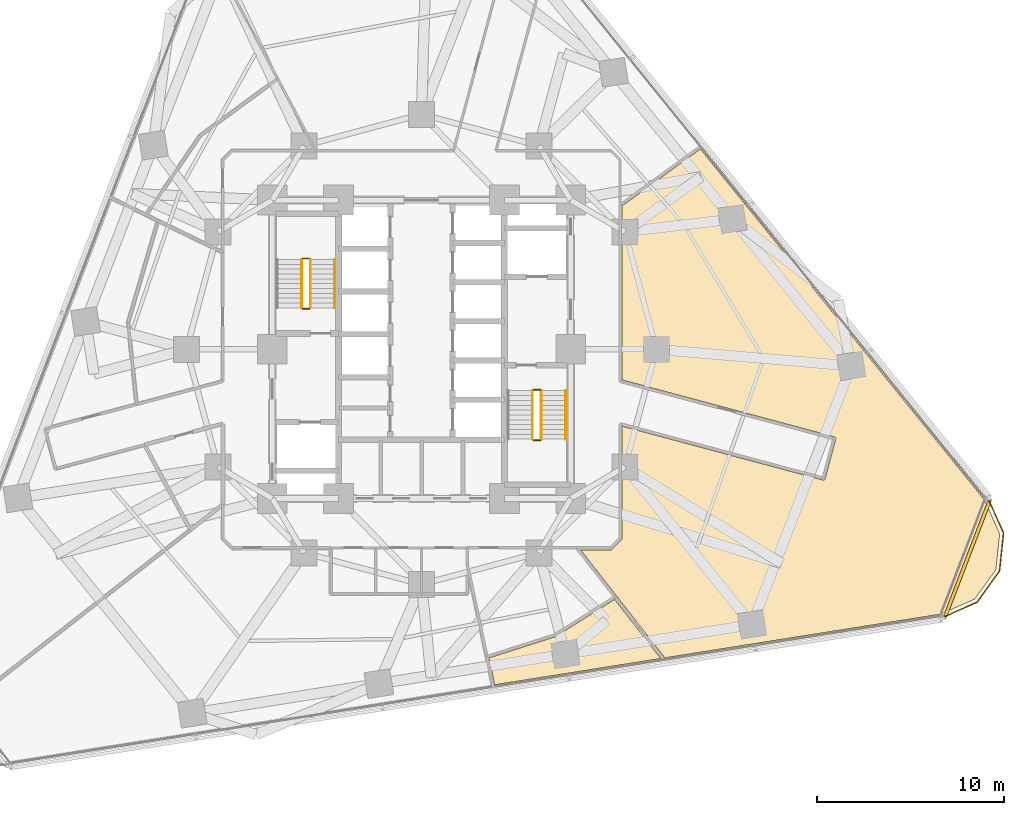
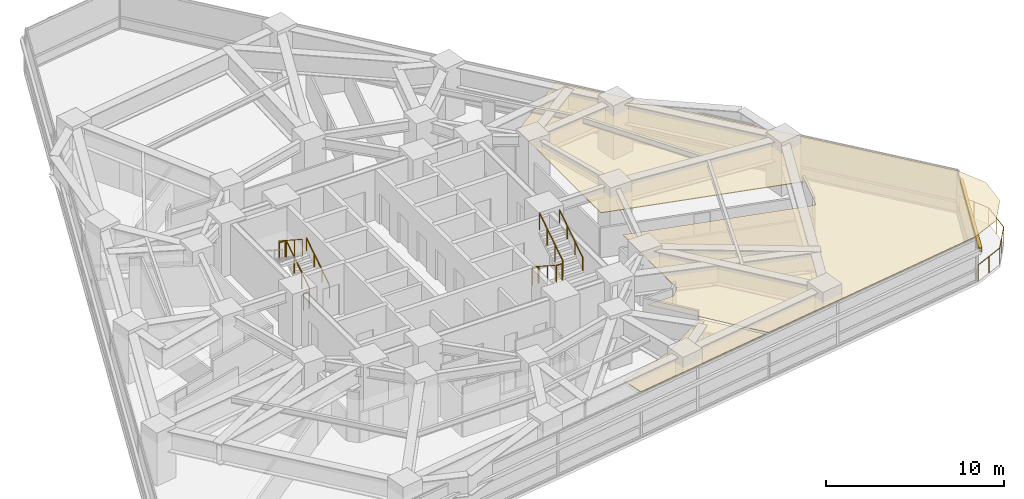
# One storey, part 12 of 13: 11 railings, 2 coverings, 1 shading device.
"""IFC4 building model written with IfcOpenShell, lengths in metres."""

import ifcopenshell
import ifcopenshell.guid

model = None  # the IFC model being written
_history = None  # IfcOwnerHistory: only IFC2X3 demands one
_inside = {}  # id of a spatial element -> (the spatial element, [elements in it])
_under = {}  # id of a project, library or spatial element -> (it, [spatial elements below it])
_declared = {}  # id of a project -> (the project, [libraries it declares])
_typed = {}  # id of a type object -> (the type object, [elements of that type])
_made_of = {}  # id of a material, layer set ... -> (it, [elements and type objects made of it])


def new_model(schema):
    """Start an empty IFC model of exactly this schema.

    Asked for "IFC4X3", IfcOpenShell would pick the latest addendum, in which some entities
    have other attributes; the version numbers below select the first issue.
    IFC2X3 requires an IfcOwnerHistory on every rooted entity: one is made here for all.
    """
    global model, _history
    if schema == "IFC4X3":
        model = ifcopenshell.file(schema_version=(4, 3, 0, 0))
    else:
        model = ifcopenshell.file(schema=schema)
    _inside.clear()
    _under.clear()
    _declared.clear()
    _typed.clear()
    _made_of.clear()
    _history = None
    if model.schema == "IFC2X3":
        org = make("IfcOrganization", Name="unknown")
        user = make(
            "IfcPersonAndOrganization",
            ThePerson=make("IfcPerson", FamilyName="unknown"),
            TheOrganization=org,
        )
        app = make(
            "IfcApplication",
            ApplicationDeveloper=org,
            Version="unknown",
            ApplicationFullName="unknown",
            ApplicationIdentifier="unknown",
        )
        _history = make(
            "IfcOwnerHistory",
            OwningUser=user,
            OwningApplication=app,
            ChangeAction="ADDED",
            CreationDate=0,
        )
    return model


def make(cls, **values):
    """One entity of the class cls with the attributes given. An attribute that is None is left unset."""
    return model.create_entity(
        cls, **{name: value for name, value in values.items() if value is not None}
    )


def rooted(cls, **values):
    """An entity with a GlobalId (a new one), such as an element, a storey or a relation."""
    return make(cls, GlobalId=ifcopenshell.guid.new(), OwnerHistory=_history, **values)


def si_unit(unit_type, name, prefix=None):
    """IfcSIUnit, for example si_unit("LENGTHUNIT", "METRE", prefix="MILLI")."""
    return make("IfcSIUnit", UnitType=unit_type, Prefix=prefix, Name=name)


def assignment(units):
    """IfcUnitAssignment: the units of a project."""
    return None if units is None else make("IfcUnitAssignment", Units=units)


def point(xyz):
    """IfcCartesianPoint."""
    return None if xyz is None else make("IfcCartesianPoint", Coordinates=xyz)


def direction(xyz):
    """IfcDirection."""
    return None if xyz is None else make("IfcDirection", DirectionRatios=xyz)


def frame(location, z_axis=None, x_axis=None):
    """IfcAxis2Placement3D, a coordinate frame: its origin and axes. An axis left out is left unset."""
    return make(
        "IfcAxis2Placement3D",
        Location=point(location),
        Axis=direction(z_axis),
        RefDirection=direction(x_axis),
    )


def frame_2d(location, x_axis=None):
    """IfcAxis2Placement2D, a coordinate frame in the plane: its origin and x axis."""
    return make(
        "IfcAxis2Placement2D", Location=point(location), RefDirection=direction(x_axis)
    )


def origin():
    """The frame at (0, 0, 0) with its axes left unset."""
    return frame((0.0, 0.0, 0.0))


def origin_2d():
    """The frame at (0, 0) in the plane with its x axis left unset."""
    return frame_2d((0.0, 0.0))


def place(relative_to, where):
    """IfcLocalPlacement: puts the frame where relative to a parent placement (None: the world)."""
    return make(
        "IfcLocalPlacement", PlacementRelTo=relative_to, RelativePlacement=where
    )


def context(
    kind, dimensions, precision=None, world=None, true_north=None, identifier=None
):
    """IfcGeometricRepresentationContext, for example the 3D "Model" context."""
    return make(
        "IfcGeometricRepresentationContext",
        ContextIdentifier=identifier,
        ContextType=kind,
        CoordinateSpaceDimension=dimensions,
        Precision=precision,
        WorldCoordinateSystem=world,
        TrueNorth=true_north,
    )


def subcontext(parent, identifier, kind, view, scale=None):
    """IfcGeometricRepresentationSubContext, for example "Body" below "Model"."""
    return make(
        "IfcGeometricRepresentationSubContext",
        ContextIdentifier=identifier,
        ContextType=kind,
        ParentContext=parent,
        TargetScale=scale,
        TargetView=view,
    )


def project(units=None, contexts=None):
    """IfcProject with its units and contexts."""
    return rooted(
        "IfcProject",
        Name="project",
        RepresentationContexts=contexts,
        UnitsInContext=assignment(units),
    )


def spatial(cls, under=None, at=None, **own):
    """A site, building, storey or space (cls), placed at a placement, below another one or the project."""
    s = rooted(cls, ObjectPlacement=at, **own)
    if under is not None:
        _under.setdefault(under.id(), (under, []))[1].append(s)
    return s


def polyline(points):
    """IfcPolyline through the points."""
    return make("IfcPolyline", Points=[point(p) for p in points])


def profile(cls, at=None, kind="AREA", **sizes):
    """A parametric profile (cls). Its sizes go by their IFC names, for example OverallWidth=200.0."""
    return make(cls, ProfileType=kind, Position=at, **sizes)


def rectangle(**sizes):
    """IfcRectangleProfileDef."""
    return profile("IfcRectangleProfileDef", **sizes)


def circle(**sizes):
    """IfcCircleProfileDef."""
    return profile("IfcCircleProfileDef", **sizes)


def outline(outer, holes=None, kind="AREA"):
    """IfcArbitraryClosedProfileDef: a profile drawn as a closed curve; with holes, ...WithVoids."""
    if holes is None:
        return make("IfcArbitraryClosedProfileDef", ProfileType=kind, OuterCurve=outer)
    return make(
        "IfcArbitraryProfileDefWithVoids",
        ProfileType=kind,
        OuterCurve=outer,
        InnerCurves=holes,
    )


def extrude(swept, where, along, depth):
    """IfcExtrudedAreaSolid: the profile swept, set in the frame where, extruded along a direction by depth."""
    return make(
        "IfcExtrudedAreaSolid",
        SweptArea=swept,
        Position=where,
        ExtrudedDirection=direction(along),
        Depth=depth,
    )


def shape(context_of_items, identifier, shape_type, items):
    """IfcShapeRepresentation: the items that make up one representation, for example the "Body"."""
    return make(
        "IfcShapeRepresentation",
        ContextOfItems=context_of_items,
        RepresentationIdentifier=identifier,
        RepresentationType=shape_type,
        Items=items,
    )


def material(Name=None, Category=None):
    """IfcMaterial."""
    return make("IfcMaterial", Name=Name, Category=Category)


def layer(
    of_material, thickness, ventilated=None, Name=None, Category=None, Priority=None
):
    """IfcMaterialLayer: one layer of a wall or slab, of a material (None: an air gap)."""
    return make(
        "IfcMaterialLayer",
        Material=of_material,
        LayerThickness=thickness,
        IsVentilated=ventilated,
        Name=Name,
        Category=Category,
        Priority=Priority,
    )


def layer_set(layers, Name=None):
    """IfcMaterialLayerSet."""
    return make("IfcMaterialLayerSet", MaterialLayers=layers, LayerSetName=Name)


def made_of(thing, what):
    """Note that an element or type object is made of a material, layer set ...; save() writes the relation."""
    if what is not None:
        _made_of.setdefault(what.id(), (what, []))[1].append(thing)
    return thing


def type_object(cls, material=None, **own):
    """A type object (cls), such as IfcWallType, which elements share."""
    return made_of(rooted(cls, **own), material)


def element(
    cls,
    number,
    at=None,
    inside=None,
    cuts=None,
    type_object=None,
    material=None,
    context=None,
    identifier="Body",
    shape_type=None,
    held_by="IfcProductDefinitionShape",
    body=None,
    shapes=None,
    **own,
):
    """One element of the class cls, such as IfcWall. Its Tag is "e" and its number.

    at: its placement. inside: the storey or other place that contains it. cuts: it is an
    opening in that element (IfcRelVoidsElement). A single representation is given by context,
    identifier, shape_type and body (its items); several are given by shapes. held_by: the class
    of the entity that holds the representations. save() writes the other relations.
    """
    e = rooted(cls, Tag="e%d" % number, ObjectPlacement=at, **own)
    if body is not None:
        shapes = [shape(context, identifier, shape_type, body)]
    if shapes is not None:
        e.Representation = make(held_by, Representations=shapes)
    if inside is not None:
        _inside.setdefault(inside.id(), (inside, []))[1].append(e)
    if cuts is not None:
        rooted(
            "IfcRelVoidsElement", RelatingBuildingElement=cuts, RelatedOpeningElement=e
        )
    if type_object is not None:
        _typed.setdefault(type_object.id(), (type_object, []))[1].append(e)
    return made_of(e, material)


def aggregate(whole, parts):
    """IfcRelAggregates: a whole, such as a stair, and the parts it consists of."""
    return rooted("IfcRelAggregates", RelatingObject=whole, RelatedObjects=parts)


def save(model, path):
    """Write the relations noted so far, then the file.

    IfcRelAggregates (storeys below a building ...), IfcRelContainedInSpatialStructure (elements
    in a storey), IfcRelDefinesByType, IfcRelAssociatesMaterial and IfcRelDeclares: one each for
    every whole, place, type object, material and project.
    """
    for whole, parts in _under.values():
        aggregate(whole, parts)
    for where, things in _inside.values():
        rooted(
            "IfcRelContainedInSpatialStructure",
            RelatedElements=things,
            RelatingStructure=where,
        )
    for kind, things in _typed.values():
        rooted("IfcRelDefinesByType", RelatedObjects=things, RelatingType=kind)
    for what, things in _made_of.values():
        rooted("IfcRelAssociatesMaterial", RelatedObjects=things, RelatingMaterial=what)
    for by, libraries in _declared.values():
        rooted("IfcRelDeclares", RelatingContext=by, RelatedDefinitions=libraries)
    model.write(path)


model = new_model("IFC4")

# Units and contexts
model_context = context("Model", 3, precision=1e-05, world=origin(), true_north=direction((0.0, 1.0)))
body_context = subcontext(model_context, "Body", "Model", "MODEL_VIEW")
ifc_project = project(units=[si_unit("LENGTHUNIT", "METRE"), si_unit("AREAUNIT", "SQUARE_METRE"), si_unit("VOLUMEUNIT", "CUBIC_METRE"), si_unit("PLANEANGLEUNIT", "RADIAN"), si_unit("MASSUNIT", "GRAM", prefix="KILO")], contexts=[model_context])

# Site, building, storey
site_placement = place(None, origin())
site = spatial("IfcSite", under=ifc_project, at=site_placement, CompositionType="ELEMENT")
building_placement = place(site_placement, origin())
building = spatial("IfcBuilding", under=site, at=building_placement, Name="Terralouvre Media Tower", CompositionType="ELEMENT")
storey_placement = place(building_placement, frame((0.0, 0.0, 81.5)))
storey = spatial("IfcBuildingStorey", under=building, at=storey_placement, Name="L20", CompositionType="ELEMENT", Elevation=81.5)

# Coverings
ifc_material_1 = material(Name="Perforated aluminium acoustic ceiling baffle", Category="aluminium")
ifc_layer_1 = layer(ifc_material_1, 0.0400390625, Name="Perforated Acoustic Metal Tile Ceiling CL-AC1")
ifc_layer_set_1 = layer_set([ifc_layer_1], Name="Perforated aluminium acoustic ceiling baffle")
covering_type = type_object("IfcCoveringType", Name="Perforated Acoustic Metal Tile Ceiling CL-AC1", PredefinedType="CEILING", material=ifc_layer_set_1)
covering_1_placement = place(storey_placement, frame((0.0, 0.0, 2.93994140625), z_axis=(0.0, 0.0, 1.0), x_axis=(0.987688340595, 0.15643446504, 0.0)))
element("IfcCovering", 1, at=covering_1_placement, inside=storey, type_object=covering_type, Name="L20 Foreign Press Reading Study 1 Acoustic Ceiling", PredefinedType="CEILING", context=body_context, shape_type="SweptSolid", body=[
    extrude(outline(polyline([(10.361328125, -3.2998046875), (21.134521484375, -8.09619140625), (21.143310546875, -8.1005859375), (21.151611328125, -8.10595703125), (21.159423828125, -8.112060546875), (21.16650390625, -8.118896484375), (21.1728515625, -8.126220703125), (21.178466796875, -8.13427734375), (21.183349609375, -8.142822265625), (21.187255859375, -8.15185546875), (21.1904296875, -8.1611328125), (21.1923828125, -8.170654296875), (21.193603515625, -8.180419921875), (21.19384765625, -8.190185546875), (21.193115234375, -8.199951171875), (21.19140625, -8.209716796875), (21.188720703125, -8.21923828125), (21.185302734375, -8.228271484375), (20.289794921875, -10.238037109375), (20.285400390625, -10.24658203125), (20.280029296875, -10.255126953125), (20.274169921875, -10.2626953125), (20.267333984375, -10.269775390625), (20.259765625, -10.2763671875), (20.251708984375, -10.281982421875), (20.2431640625, -10.28662109375), (20.234375, -10.29052734375), (20.22509765625, -10.293701171875), (20.21533203125, -10.2958984375), (20.20556640625, -10.297119140625), (20.19580078125, -10.297119140625), (20.18603515625, -10.29638671875), (20.176513671875, -10.294921875), (20.1669921875, -10.292236328125), (20.15771484375, -10.28857421875), (9.972900390625, -5.753173828125), (9.02978515625, -11.706787109375), (9.02783203125, -11.71630859375), (9.02490234375, -11.7255859375), (9.02099609375, -11.734619140625), (9.016357421875, -11.743408203125), (9.0107421875, -11.75146484375), (9.00439453125, -11.759033203125), (8.99755859375, -11.765869140625), (8.98974609375, -11.77197265625), (8.417724609375, -12.1875), (8.409423828125, -12.19287109375), (8.40087890625, -12.197509765625), (8.391845703125, -12.201171875), (8.38232421875, -12.203857421875), (8.372802734375, -12.205810546875), (8.363037109375, -12.20654296875), (8.35302734375, -12.20654296875), (8.34326171875, -12.20556640625), (6.7392578125, -11.951416015625), (8.256591796875, -14.68896484375), (10.30126953125, -18.378662109375), (25.29052734375, -18.37890625), (27.196533203125, -17.8681640625), (28.56982421875, -16.494384765625), (29.072021484375, -14.617919921875), (28.561767578125, -12.71337890625), (16.447998046875, 8.26806640625), (11.820068359375, 5.91064453125), (10.361328125, -3.2998046875)])), origin(), (0.0, 0.0, 1.0), 0.0400390625),
])
covering_2_placement = place(storey_placement, frame((0.0, 0.0, 2.93994140625), z_axis=(0.0, 0.0, 1.0), x_axis=(0.987688340595, 0.15643446504, 0.0)))
element("IfcCovering", 2, at=covering_2_placement, inside=storey, type_object=covering_type, Name="L20 Pacific Desk Workspace 8 Acoustic Ceiling", PredefinedType="CEILING", context=body_context, shape_type="SweptSolid", body=[
    extrude(outline(polyline([(4.697509765625, -16.337646484375), (4.689453125, -16.340576171875), (4.681396484375, -16.3427734375), (4.673095703125, -16.344482421875), (0.986328125, -16.9111328125), (1.06298828125, -18.37890625), (10.07275390625, -18.378662109375), (8.12548828125, -14.864990234375), (4.697509765625, -16.337646484375)])), origin(), (0.0, 0.0, 1.0), 0.0400390625),
])

# Railings
ifc_material_2 = material(Name="Stainless steel 316 handrail and balustrade", Category="steel")
ifc_layer_2 = layer(ifc_material_2, 0.06005859375, Name="Roof Edge Safety Guardrail GR-ROOF1")
ifc_layer_set_2 = layer_set([ifc_layer_2], Name="Stainless steel 316 handrail and balustrade")
railing_type_1 = type_object("IfcRailingType", Name="Roof Edge Safety Guardrail GR-ROOF1", PredefinedType="GUARDRAIL", material=ifc_layer_set_2)
railing_1_placement = place(storey_placement, frame((27.904296875, -14.401611328125, 0.0)))
element("IfcRailing", 3, at=railing_1_placement, inside=storey, type_object=railing_type_1, Name="L20 Wind-Corner Perimeter Safety Guardrail C1", PredefinedType="GUARDRAIL", context=body_context, shape_type="SweptSolid", body=[
    extrude(circle(Radius=0.02099609375, at=origin_2d()), frame((0.0, 0.0, 1.12890625), z_axis=(0.91366973946, 0.40645738669, 0.0), x_axis=(-0.40645738669, 0.91366973946, 0.0)), (0.0, 0.0, 1.0), 2.0595703125),
    extrude(circle(Radius=0.02099609375, at=origin_2d()), frame((1.8818359375, 0.837158203125, 1.12890625), z_axis=(0.587868563624, 0.808956458595, 0.0), x_axis=(-0.808956458595, 0.587868563624, 0.0)), (0.0, 0.0, 1.0), 2.0595703125),
    extrude(circle(Radius=0.02099609375, at=origin_2d()), frame((3.092529296875, 2.503173828125, 1.12890625), z_axis=(0.104456420886, 0.99452946469, 0.0), x_axis=(-0.99452946469, 0.104456420886, 0.0)), (0.0, 0.0, 1.0), 2.05908203125),
    extrude(circle(Radius=0.02099609375, at=origin_2d()), frame((3.3076171875, 4.551025390625, 1.12890625), z_axis=(-0.406996026336, 0.913429928646, 0.0), x_axis=(-0.913429928646, -0.406996026336, 0.0)), (0.0, 0.0, 1.0), 2.059814453125),
    extrude(circle(Radius=0.01904296875, at=origin_2d()), origin(), (0.0, 0.0, 1.0), 1.10791015625),
    extrude(circle(Radius=0.01904296875, at=origin_2d()), frame((0.94091796875, 0.41845703125, 0.0)), (0.0, 0.0, 1.0), 1.10791015625),
    extrude(circle(Radius=0.01904296875, at=origin_2d()), frame((1.8818359375, 0.837158203125, 0.0)), (0.0, 0.0, 1.0), 1.10791015625),
    extrude(circle(Radius=0.01904296875, at=origin_2d()), frame((2.4873046875, 1.670166015625, 0.0)), (0.0, 0.0, 1.0), 1.10791015625),
    extrude(circle(Radius=0.01904296875, at=origin_2d()), frame((3.092529296875, 2.503173828125, 0.0)), (0.0, 0.0, 1.0), 1.10791015625),
    extrude(circle(Radius=0.01904296875, at=origin_2d()), frame((3.2001953125, 3.527099609375, 0.0)), (0.0, 0.0, 1.0), 1.10791015625),
    extrude(circle(Radius=0.01904296875, at=origin_2d()), frame((3.3076171875, 4.551025390625, 0.0)), (0.0, 0.0, 1.0), 1.10791015625),
    extrude(circle(Radius=0.01904296875, at=origin_2d()), frame((2.888427734375, 5.49169921875, 0.0)), (0.0, 0.0, 1.0), 1.10791015625),
    extrude(circle(Radius=0.01904296875, at=origin_2d()), frame((2.46923828125, 6.4326171875, 0.0)), (0.0, 0.0, 1.0), 1.10791015625),
])
ifc_material_3 = material(Name="Stainless steel 316 handrail and balustrade", Category="steel")
ifc_layer_3 = layer(ifc_material_3, 0.050048828125, Name="Stair Flight Wall Handrail HR-INT1")
ifc_layer_set_3 = layer_set([ifc_layer_3], Name="Stainless steel 316 handrail and balustrade")
railing_type_2 = type_object("IfcRailingType", Name="Stair Flight Wall Handrail HR-INT1", PredefinedType="HANDRAIL", material=ifc_layer_set_3)
for number, where, name in (
    (4, (-4.64990234375, 2.219970703125, 0.168212890625), "L20 ST-01 stair handrail 1"),
    (5, (7.72998046875, -4.820068359375, 2.01806640625), "L20 ST-02 stair handrail 2"),
):
    element("IfcRailing", number, at=place(storey_placement, frame(where)), inside=storey, type_object=railing_type_2, Name=name, PredefinedType="HANDRAIL", context=body_context, shape_type="SweptSolid", body=[
        extrude(circle(Radius=0.02392578125, at=origin_2d()), frame((0.0, 0.0, 0.8759765625), z_axis=(0.0, 0.839648411786, 0.543130320075), x_axis=(-1.0, 0.0, 0.0)), (0.0, 0.0, 1.0), 3.0966796875),
        extrude(circle(Radius=0.02099609375, at=origin_2d()), origin(), (0.0, 0.0, 1.0), 0.851806640625),
        extrude(circle(Radius=0.02099609375, at=origin_2d()), frame((0.0, 0.86669921875, 0.560546875)), (0.0, 0.0, 1.0), 0.851806640625),
        extrude(circle(Radius=0.02099609375, at=origin_2d()), frame((0.0, 1.7333984375, 1.121337890625)), (0.0, 0.0, 1.0), 0.851806640625),
        extrude(circle(Radius=0.02099609375, at=origin_2d()), frame((0.0, 2.60009765625, 1.681884765625)), (0.0, 0.0, 1.0), 0.851806640625),
    ])
ifc_material_4 = material(Name="Stainless steel 316 handrail and balustrade", Category="steel")
ifc_layer_4 = layer(ifc_material_4, 0.050048828125, Name="Stairwell Safety Guardrail GR-INT1")
ifc_layer_set_4 = layer_set([ifc_layer_4], Name="Stainless steel 316 handrail and balustrade")
railing_type_3 = type_object("IfcRailingType", Name="Stairwell Safety Guardrail GR-INT1", PredefinedType="GUARDRAIL", material=ifc_layer_set_4)
railing_2_placement = place(storey_placement, frame((-5.949951171875, 2.219970703125, 0.168212890625)))
element("IfcRailing", 6, at=railing_2_placement, inside=storey, type_object=railing_type_3, Name="L20 ST-01 stair guard 1", PredefinedType="GUARDRAIL", context=body_context, shape_type="SweptSolid", body=[
    extrude(circle(Radius=0.02392578125, at=origin_2d()), frame((0.0, 0.0, 1.1259765625), z_axis=(0.0, 0.839648411786, 0.543130320075), x_axis=(-1.0, 0.0, 0.0)), (0.0, 0.0, 1.0), 3.0966796875),
    extrude(circle(Radius=0.02099609375, at=origin_2d()), origin(), (0.0, 0.0, 1.0), 1.101806640625),
    extrude(circle(Radius=0.02099609375, at=origin_2d()), frame((0.0, 0.86669921875, 0.560546875)), (0.0, 0.0, 1.0), 1.101806640625),
    extrude(circle(Radius=0.02099609375, at=origin_2d()), frame((0.0, 1.7333984375, 1.121337890625)), (0.0, 0.0, 1.0), 1.101806640625),
    extrude(circle(Radius=0.02099609375, at=origin_2d()), frame((0.0, 2.60009765625, 1.681884765625)), (0.0, 0.0, 1.0), 1.101806640625),
])
railing_3_placement = place(storey_placement, frame((-6.0, 4.8701171875, 1.85009765625)))
element("IfcRailing", 7, at=railing_3_placement, inside=storey, type_object=railing_type_3, Name="L20 ST-01 stair guard 2", PredefinedType="GUARDRAIL", context=body_context, shape_type="SweptSolid", body=[
    extrude(circle(Radius=0.02392578125, at=origin_2d()), frame((0.0, 0.0, 1.1259765625), z_axis=(-1.0, 0.0, 0.0), x_axis=(0.0, -1.0, 0.0)), (0.0, 0.0, 1.0), 0.3798828125),
    extrude(circle(Radius=0.02099609375, at=origin_2d()), origin(), (0.0, 0.0, 1.0), 1.101806640625),
    extrude(circle(Radius=0.02099609375, at=origin_2d()), frame((-0.3798828125, 0.0, 0.0)), (0.0, 0.0, 1.0), 1.101806640625),
])
railing_4_placement = place(storey_placement, frame((-6.429931640625, 4.820068359375, 2.01806640625)))
element("IfcRailing", 8, at=railing_4_placement, inside=storey, type_object=railing_type_3, Name="L20 ST-01 stair guard 3", PredefinedType="GUARDRAIL", context=body_context, shape_type="SweptSolid", body=[
    extrude(circle(Radius=0.02392578125, at=origin_2d()), frame((0.0, 0.0, 1.1259765625), z_axis=(0.0, -0.839648411786, 0.543130320075), x_axis=(1.0, 0.0, 0.0)), (0.0, 0.0, 1.0), 3.0966796875),
    extrude(circle(Radius=0.02099609375, at=origin_2d()), origin(), (0.0, 0.0, 1.0), 1.101806640625),
    extrude(circle(Radius=0.02099609375, at=origin_2d()), frame((0.0, -0.86669921875, 0.560546875)), (0.0, 0.0, 1.0), 1.101806640625),
    extrude(circle(Radius=0.02099609375, at=origin_2d()), frame((0.0, -1.7333984375, 1.121337890625)), (0.0, 0.0, 1.0), 1.101806640625),
    extrude(circle(Radius=0.02099609375, at=origin_2d()), frame((0.0, -2.60009765625, 1.681884765625)), (0.0, 0.0, 1.0), 1.101806640625),
])
railing_5_placement = place(storey_placement, frame((-6.0, 2.169921875, 0.0)))
element("IfcRailing", 9, at=railing_5_placement, inside=storey, type_object=railing_type_3, Name="L20 ST-01 stair guard 4", PredefinedType="GUARDRAIL", context=body_context, shape_type="SweptSolid", body=[
    extrude(circle(Radius=0.02392578125, at=origin_2d()), frame((0.0, 0.0, 1.1259765625), z_axis=(-1.0, 0.0, 0.0), x_axis=(0.0, -1.0, 0.0)), (0.0, 0.0, 1.0), 0.3798828125),
    extrude(circle(Radius=0.02099609375, at=origin_2d()), origin(), (0.0, 0.0, 1.0), 1.101806640625),
    extrude(circle(Radius=0.02099609375, at=origin_2d()), frame((-0.3798828125, 0.0, 0.0)), (0.0, 0.0, 1.0), 1.101806640625),
])
railing_6_placement = place(storey_placement, frame((5.949951171875, -2.219970703125, 0.168212890625)))
element("IfcRailing", 10, at=railing_6_placement, inside=storey, type_object=railing_type_3, Name="L20 ST-02 stair guard 1", PredefinedType="GUARDRAIL", context=body_context, shape_type="SweptSolid", body=[
    extrude(circle(Radius=0.02392578125, at=origin_2d()), frame((0.0, 0.0, 1.1259765625), z_axis=(0.0, -0.839648411786, 0.543130320075), x_axis=(1.0, 0.0, 0.0)), (0.0, 0.0, 1.0), 3.0966796875),
    extrude(circle(Radius=0.02099609375, at=origin_2d()), origin(), (0.0, 0.0, 1.0), 1.101806640625),
    extrude(circle(Radius=0.02099609375, at=origin_2d()), frame((0.0, -0.86669921875, 0.560546875)), (0.0, 0.0, 1.0), 1.101806640625),
    extrude(circle(Radius=0.02099609375, at=origin_2d()), frame((0.0, -1.7333984375, 1.121337890625)), (0.0, 0.0, 1.0), 1.101806640625),
    extrude(circle(Radius=0.02099609375, at=origin_2d()), frame((0.0, -2.60009765625, 1.681884765625)), (0.0, 0.0, 1.0), 1.101806640625),
])
railing_7_placement = place(storey_placement, frame((6.0, -4.8701171875, 1.85009765625)))
element("IfcRailing", 11, at=railing_7_placement, inside=storey, type_object=railing_type_3, Name="L20 ST-02 stair guard 2", PredefinedType="GUARDRAIL", context=body_context, shape_type="SweptSolid", body=[
    extrude(circle(Radius=0.02392578125, at=origin_2d()), frame((0.0, 0.0, 1.1259765625), z_axis=(1.0, 0.0, 0.0), x_axis=(0.0, 1.0, 0.0)), (0.0, 0.0, 1.0), 0.3798828125),
    extrude(circle(Radius=0.02099609375, at=origin_2d()), origin(), (0.0, 0.0, 1.0), 1.101806640625),
    extrude(circle(Radius=0.02099609375, at=origin_2d()), frame((0.3798828125, 0.0, 0.0)), (0.0, 0.0, 1.0), 1.101806640625),
])
railing_8_placement = place(storey_placement, frame((6.429931640625, -4.820068359375, 2.01806640625)))
element("IfcRailing", 12, at=railing_8_placement, inside=storey, type_object=railing_type_3, Name="L20 ST-02 stair guard 3", PredefinedType="GUARDRAIL", context=body_context, shape_type="SweptSolid", body=[
    extrude(circle(Radius=0.02392578125, at=origin_2d()), frame((0.0, 0.0, 1.1259765625), z_axis=(0.0, 0.839648411786, 0.543130320075), x_axis=(-1.0, 0.0, 0.0)), (0.0, 0.0, 1.0), 3.0966796875),
    extrude(circle(Radius=0.02099609375, at=origin_2d()), origin(), (0.0, 0.0, 1.0), 1.101806640625),
    extrude(circle(Radius=0.02099609375, at=origin_2d()), frame((0.0, 0.86669921875, 0.560546875)), (0.0, 0.0, 1.0), 1.101806640625),
    extrude(circle(Radius=0.02099609375, at=origin_2d()), frame((0.0, 1.7333984375, 1.121337890625)), (0.0, 0.0, 1.0), 1.101806640625),
    extrude(circle(Radius=0.02099609375, at=origin_2d()), frame((0.0, 2.60009765625, 1.681884765625)), (0.0, 0.0, 1.0), 1.101806640625),
])
railing_9_placement = place(storey_placement, frame((6.0, -2.169921875, 0.0)))
element("IfcRailing", 13, at=railing_9_placement, inside=storey, type_object=railing_type_3, Name="L20 ST-02 stair guard 4", PredefinedType="GUARDRAIL", context=body_context, shape_type="SweptSolid", body=[
    extrude(circle(Radius=0.02392578125, at=origin_2d()), frame((0.0, 0.0, 1.1259765625), z_axis=(1.0, 0.0, 0.0), x_axis=(0.0, 1.0, 0.0)), (0.0, 0.0, 1.0), 0.3798828125),
    extrude(circle(Radius=0.02099609375, at=origin_2d()), origin(), (0.0, 0.0, 1.0), 1.101806640625),
    extrude(circle(Radius=0.02099609375, at=origin_2d()), frame((0.3798828125, 0.0, 0.0)), (0.0, 0.0, 1.0), 1.101806640625),
])

# Shading device
ifc_material_5 = material(Name="Extruded terracotta baguette sunshade louvres", Category="masonry")
shading_device_type = type_object("IfcShadingDeviceType", Name="Terracotta Baguette Sunshade Louvre Screen TB-LV1", PredefinedType="USERDEFINED", material=ifc_material_5)
shading_device_placement = place(storey_placement, frame((29.264892578125, -11.23388671875, 1.9990234375), z_axis=(0.0, 0.0, 1.0), x_axis=(0.358367472863, 0.933580609478, 0.0)))
element("IfcShadingDevice", 14, at=shading_device_placement, inside=storey, type_object=shading_device_type, Name="CW-L20-C1 Terracotta Baguette Sunshade Louvre", ObjectType="BAGUETTE", PredefinedType="USERDEFINED", context=body_context, shape_type="SweptSolid", body=[
    extrude(rectangle(XDim=6.8935546875, YDim=0.179931640625, at=origin_2d()), origin(), (0.0, 0.0, 1.0), 0.280029296875),
])

save(model, "model.ifc")
